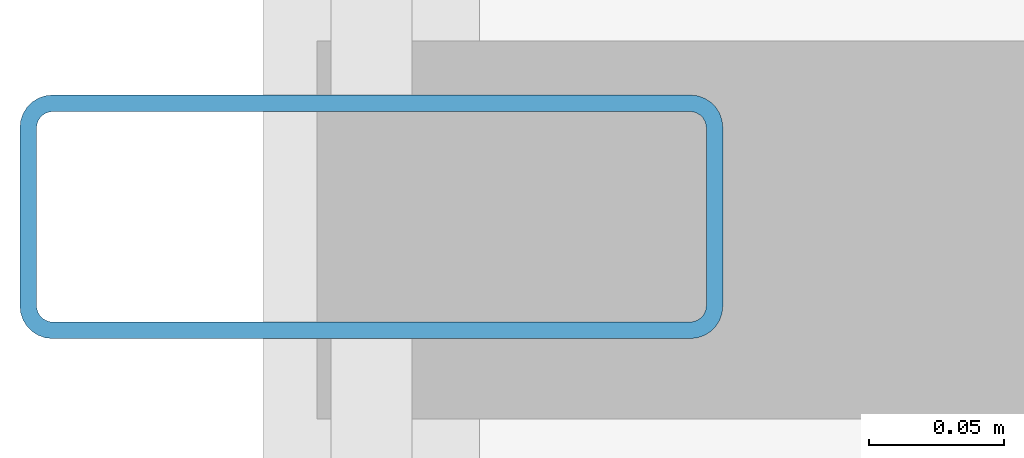
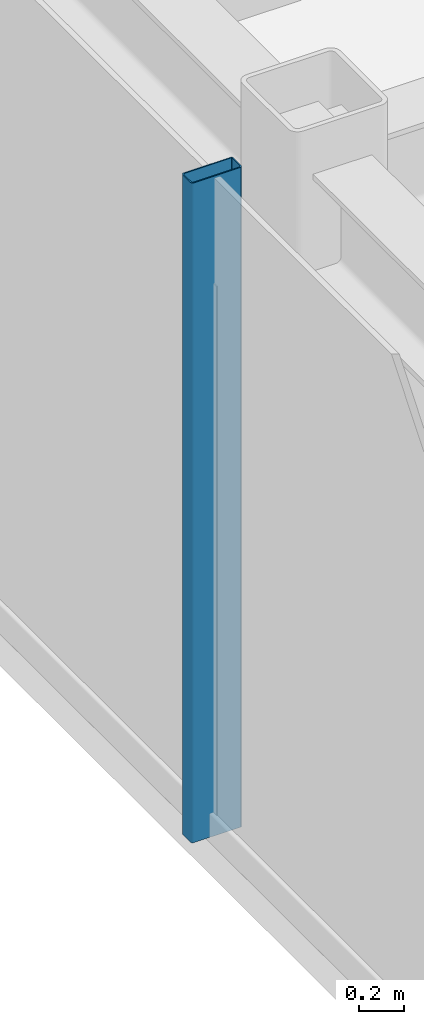
# One storey, part 4 of 18: 1 member, 1 element without a shape of its own.
"""IFC4 building model written with IfcOpenShell, lengths in metres."""

from ifc_helpers import new_model, si_unit, direction, frame, origin, origin_2d, place, context, subcontext, project, spatial, hollow_rectangle, extrude, source, transform, mapped, material, layer, layer_set, material_profile, profile_set, type_object, element, aggregate, save


model = new_model("IFC4")

# Units and contexts
model_context = context("Model", 3, precision=1e-05, world=origin(), true_north=direction((0.0, 1.0)))
body_context = subcontext(model_context, "Body", "Model", "MODEL_VIEW")
ifc_project = project(units=[si_unit("LENGTHUNIT", "METRE"), si_unit("AREAUNIT", "SQUARE_METRE"), si_unit("VOLUMEUNIT", "CUBIC_METRE"), si_unit("PLANEANGLEUNIT", "RADIAN"), si_unit("MASSUNIT", "GRAM", prefix="KILO")], contexts=[model_context])

# Site, building, storey
site_placement = place(None, origin())
site = spatial("IfcSite", under=ifc_project, at=site_placement, CompositionType="ELEMENT")
building_placement = place(site_placement, origin())
building = spatial("IfcBuilding", under=site, at=building_placement, Name="Nefas-Gora Pilgrimage Tower", CompositionType="ELEMENT")
storey_placement = place(building_placement, frame((0.0, 0.0, 306.39990234375)))
storey = spatial("IfcBuildingStorey", under=building, at=storey_placement, Name="L77", CompositionType="ELEMENT", Elevation=306.39990234375)

# Curtain wall, member
ifc_material_1 = material(Name="Dark ceramic-fritted solar-control aluminium-glass curtain wall", Category="aluminium")
ifc_layer = layer(ifc_material_1, 0.219970703125)
ifc_layer_set = layer_set([ifc_layer], Name="Dark ceramic-fritted solar-control aluminium-glass curtain wall")
curtain_wall_type = type_object("IfcCurtainWallType", Name="CW-SYS-4", PredefinedType="NOTDEFINED", material=ifc_layer_set)
curtain_wall_placement = place(storey_placement, origin())
curtain_wall = element("IfcCurtainWall", 1, at=curtain_wall_placement, inside=storey, type_object=curtain_wall_type, Name="L77 Unitised Curtain Wall CW4", PredefinedType="NOTDEFINED")
ifc_material_2 = material(Name="Anodised architectural aluminium", Category="aluminium")
ifc_material_profile = material_profile(ifc_material_2, hollow_rectangle(XDim=0.090087890625, YDim=0.260009765625, WallThickness=0.006103515625, InnerFilletRadius=0.006103515625, OuterFilletRadius=0.011962890625, at=origin_2d()), Name="ALU MULLION 90x260")
ifc_profile_set = profile_set([ifc_material_profile], Name="Anodised architectural aluminium")
member_type = type_object("IfcMemberType", Name="CWM-MUL-4", PredefinedType="MULLION", material=ifc_profile_set)
shared_shape = source(origin(), body_context, "Body", "SweptSolid", [
    extrude(hollow_rectangle(XDim=0.090087890625, YDim=0.260009765625, WallThickness=0.006103515625, InnerFilletRadius=0.006103515625, OuterFilletRadius=0.011962890625, at=origin_2d()), origin(), (0.0, 0.0, 1.0), 3.550048828125),
])
member_placement = place(storey_placement, frame((-25.27001953125, 0.0, 0.0), z_axis=(0.0, 0.0, 1.0), x_axis=(0.0, -1.0, 0.0)))
member = element("IfcMember", 2, at=member_placement, type_object=member_type, Name="CW4 Mullion 2", PredefinedType="MULLION", context=body_context, shape_type="MappedRepresentation", body=[
    mapped(shared_shape, transform((0.0, 0.0, 0.0), x_axis=(1.0, 0.0, 0.0), y_axis=(0.0, 1.0, 0.0), z_axis=(0.0, 0.0, 1.0), scale=1.0)),
])
aggregate(curtain_wall, [member])

save(model, "model.ifc")
